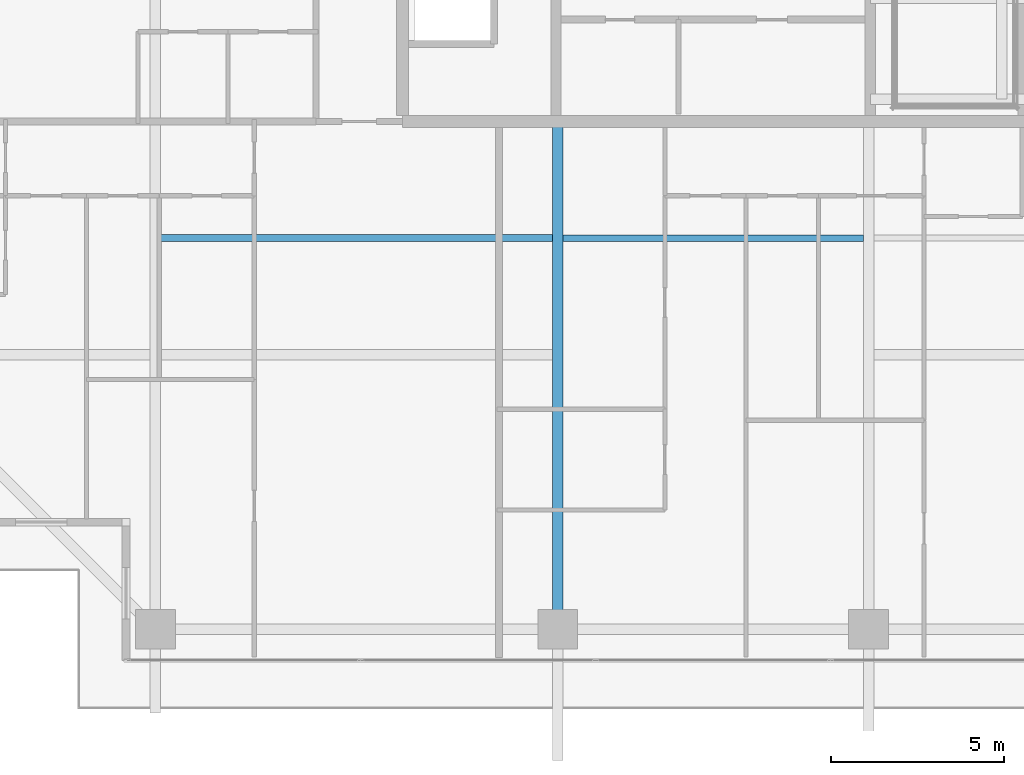
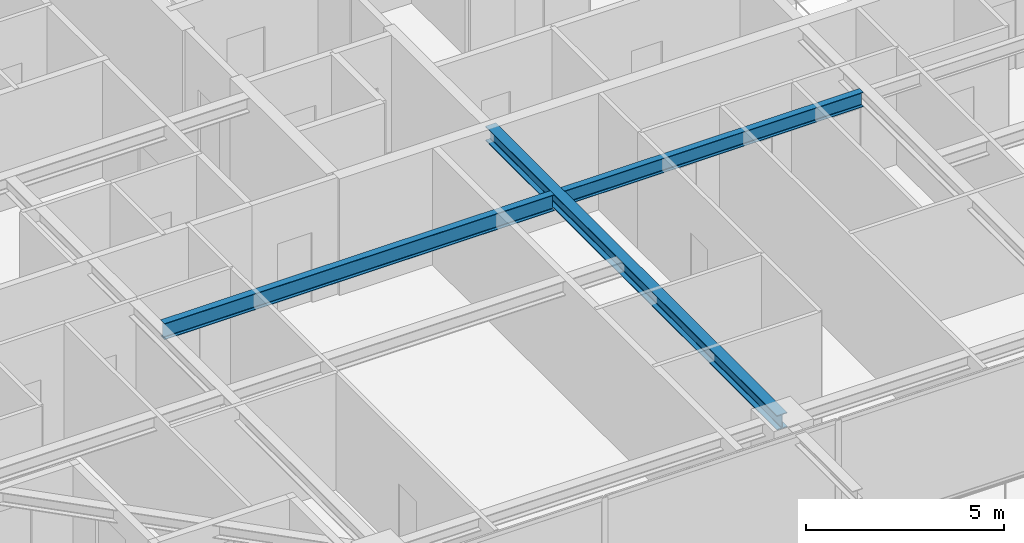
# One storey, part 7 of 39: 3 beams.
"""IFC4 building model written with IfcOpenShell, lengths in metres."""

from ifc_helpers import new_model, si_unit, direction, frame, origin, origin_2d, place, context, subcontext, project, spatial, i_section, extrude, source, transform, mapped, material, material_profile, profile_set, type_object, element, save


model = new_model("IFC4")

# Units and contexts
model_context = context("Model", 3, precision=1e-05, world=origin(), true_north=direction((0.0, 1.0)))
body_context = subcontext(model_context, "Body", "Model", "MODEL_VIEW")
ifc_project = project(units=[si_unit("LENGTHUNIT", "METRE"), si_unit("AREAUNIT", "SQUARE_METRE"), si_unit("VOLUMEUNIT", "CUBIC_METRE"), si_unit("PLANEANGLEUNIT", "RADIAN"), si_unit("MASSUNIT", "GRAM", prefix="KILO")], contexts=[model_context])

# Site, building, storey
site_placement = place(None, origin())
site = spatial("IfcSite", under=ifc_project, at=site_placement, CompositionType="ELEMENT")
building_placement = place(site_placement, origin())
building = spatial("IfcBuilding", under=site, at=building_placement, Name="Serunith Strait Residences", CompositionType="ELEMENT")
storey_placement = place(building_placement, frame((0.0, 0.0, 222.0)))
storey = spatial("IfcBuildingStorey", under=building, at=storey_placement, Name="L55", CompositionType="ELEMENT", Elevation=222.0)

# Beams
ifc_material = material(Name="Steel S355J2", Category="steel")
ifc_material_profile_1 = material_profile(ifc_material, i_section(OverallWidth=0.18994140625, OverallDepth=0.449951171875, WebThickness=0.009521484375, FlangeThickness=0.0146484375, FilletRadius=0.02099609375, at=origin_2d()), Name="IPE 450")
ifc_profile_set_1 = profile_set([ifc_material_profile_1], Name="Steel S355J2")
beam_type_1 = type_object("IfcBeamType", Name="BM-IPE450", PredefinedType="JOIST", material=ifc_profile_set_1)
shared_shape_1 = source(origin(), body_context, "Body", "SweptSolid", [
    extrude(i_section(OverallWidth=0.18994140625, OverallDepth=0.449951171875, WebThickness=0.009521484375, FlangeThickness=0.0146484375, FilletRadius=0.02099609375, at=origin_2d()), origin(), (0.0, 0.0, 1.0), 8.699951171875),
])
beam_1_placement = place(storey_placement, frame((28.050048828125, 13.425048828125, 3.362060546875), z_axis=(1.0, 0.0, 0.0), x_axis=(0.0, 1.0, 0.0)))
element("IfcBeam", 1, at=beam_1_placement, inside=storey, type_object=beam_type_1, Name="L55 Composite Floor Joist 02", PredefinedType="JOIST", context=body_context, shape_type="MappedRepresentation", body=[
    mapped(shared_shape_1, transform((0.0, 0.0, 0.0), scale=1.0)),
])
ifc_material_profile_2 = material_profile(ifc_material, i_section(OverallWidth=0.300048828125, OverallDepth=0.449951171875, WebThickness=0.013916015625, FlangeThickness=0.02587890625, FilletRadius=0.027099609375, at=origin_2d()), Name="HEB 450")
ifc_profile_set_2 = profile_set([ifc_material_profile_2], Name="Steel S355J2")
beam_type_2 = type_object("IfcBeamType", Name="BM-HEB450", PredefinedType="BEAM", material=ifc_profile_set_2)
shared_shape_2 = source(origin(), body_context, "Body", "SweptSolid", [
    extrude(i_section(OverallWidth=0.300048828125, OverallDepth=0.449951171875, WebThickness=0.013916015625, FlangeThickness=0.02587890625, FilletRadius=0.027099609375, at=origin_2d()), origin(), (0.0, 0.0, 1.0), 14.699951171875),
])
beam_2_placement = place(storey_placement, frame((27.89990234375, 16.800048828125, 3.362060546875), z_axis=(0.0, -1.0, 0.0), x_axis=(1.0, 0.0, 0.0)))
element("IfcBeam", 2, at=beam_2_placement, inside=storey, type_object=beam_type_2, Name="L55 Primary Floor Girder TC-S2", PredefinedType="BEAM", context=body_context, shape_type="MappedRepresentation", body=[
    mapped(shared_shape_2, transform((0.0, 0.0, 0.0), scale=1.0)),
])
ifc_material_profile_3 = material_profile(ifc_material, i_section(OverallWidth=0.199951171875, OverallDepth=0.5, WebThickness=0.01025390625, FlangeThickness=0.01611328125, FilletRadius=0.02099609375, at=origin_2d()), Name="IPE 500")
ifc_profile_set_3 = profile_set([ifc_material_profile_3], Name="Steel S355J2")
beam_type_3 = type_object("IfcBeamType", Name="BM-IPE500", PredefinedType="JOIST", material=ifc_profile_set_3)
shared_shape_3 = source(origin(), body_context, "Body", "SweptSolid", [
    extrude(i_section(OverallWidth=0.199951171875, OverallDepth=0.5, WebThickness=0.01025390625, FlangeThickness=0.01611328125, FilletRadius=0.02099609375, at=origin_2d()), origin(), (0.0, 0.0, 1.0), 11.35009765625),
])
beam_3_placement = place(storey_placement, frame((16.39990234375, 13.425048828125, 3.3369140625), z_axis=(1.0, 0.0, 0.0), x_axis=(0.0, 1.0, 0.0)))
element("IfcBeam", 3, at=beam_3_placement, inside=storey, type_object=beam_type_3, Name="L55 Composite Floor Joist 01", PredefinedType="JOIST", context=body_context, shape_type="MappedRepresentation", body=[
    mapped(shared_shape_3, transform((0.0, 0.0, 0.0), scale=1.0)),
])

save(model, "model.ifc")
